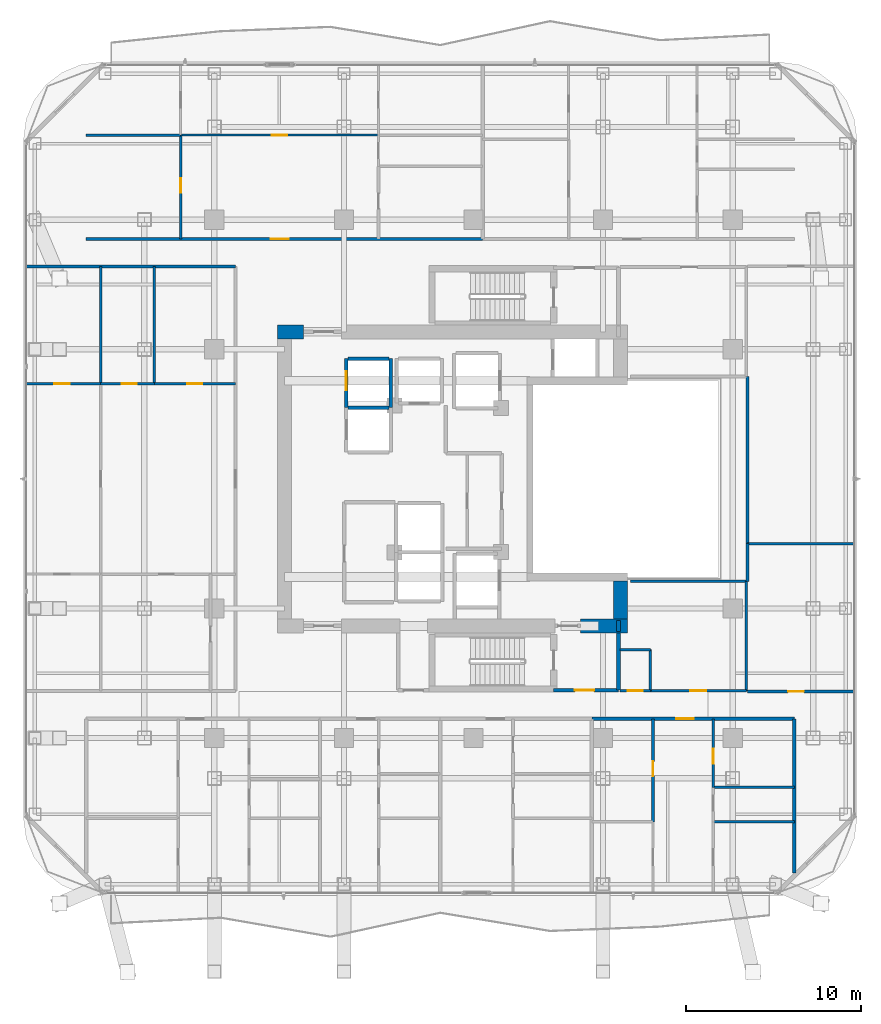
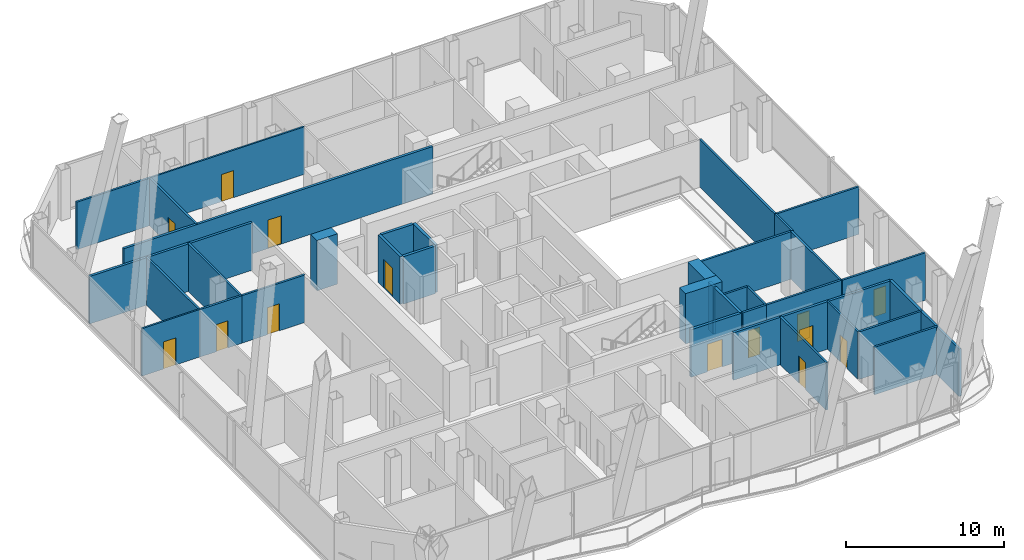
# One storey, part 25 of 34: 36 walls, 14 doors, 14 openings.
"""IFC4 building model written with IfcOpenShell, lengths in metres."""

from ifc_helpers import new_model, si_unit, direction, frame, frame_2d, origin, place, context, subcontext, project, spatial, rectangle, extrude, material, layer, layer_set, type_object, element, fill, save


model = new_model("IFC4")

# Units and contexts
model_context = context("Model", 3, precision=1e-05, world=origin(), true_north=direction((0.0, 1.0)))
body_context = subcontext(model_context, "Body", "Model", "MODEL_VIEW")
ifc_project = project(units=[si_unit("LENGTHUNIT", "METRE"), si_unit("AREAUNIT", "SQUARE_METRE"), si_unit("VOLUMEUNIT", "CUBIC_METRE"), si_unit("PLANEANGLEUNIT", "RADIAN"), si_unit("MASSUNIT", "GRAM", prefix="KILO")], contexts=[model_context])

# Site, building, storey
site_placement = place(None, origin())
site = spatial("IfcSite", under=ifc_project, at=site_placement, CompositionType="ELEMENT")
building_placement = place(site_placement, origin())
building = spatial("IfcBuilding", under=site, at=building_placement, Name="Khorvyn Point Tower", CompositionType="ELEMENT")
storey_placement = place(building_placement, frame((0.0, 0.0, 175.800048828125)))
storey = spatial("IfcBuildingStorey", under=building, at=storey_placement, Name="L43", CompositionType="ELEMENT", Elevation=175.800048828125)

# Wall, opening, door
ifc_material_1 = material(Name="Double acoustic gypsum on twin steel stud", Category="steel")
ifc_layer_1 = layer(ifc_material_1, 0.179931640625)
ifc_layer_set_1 = layer_set([ifc_layer_1], Name="Acoustic Double-Stud Apartment Demising Wall 180")
wall_type_1 = type_object("IfcWallType", Name="Acoustic Double-Stud Apartment Demising Wall 180", PredefinedType="PARTITIONING", material=ifc_layer_set_1)
wall_1_placement = place(storey_placement, frame((-22.1201171875, 13.699951171875, 0.0), z_axis=(0.0, 0.0, 1.0), x_axis=(1.0, 0.0, 0.0)))
wall_1 = element("IfcWall", 1, at=wall_1_placement, inside=storey, type_object=wall_type_1, Name="Wall", PredefinedType="PARTITIONING", context=body_context, shape_type="SweptSolid", body=[
    extrude(rectangle(XDim=22.64599609375, YDim=0.179931640625, at=frame_2d((11.322998046875, 0.0))), origin(), (0.0, 0.0, 1.0), 3.679931640625),
])
opening_1_placement = place(wall_1_placement, frame((10.55419921875, 0.0, 0.0)))
opening_1 = element("IfcOpeningElement", 2, at=opening_1_placement, cuts=wall_1, Name="Opening ID-AP60", PredefinedType="OPENING", context=body_context, shape_type="SweptSolid", body=[
    extrude(rectangle(XDim=1.0, YDim=2.199951171875, at=frame_2d((0.5, 1.10009765625))), frame((0.0, 0.099853515625, 0.0), z_axis=(0.0, -1.0, 0.0), x_axis=(1.0, 0.0, 0.0)), (0.0, 0.0, 1.0), 0.199951171875),
])
ifc_material_2 = material(Name="Engineered hardwood fire-rated leaf", Category="wood")
door_type_1 = type_object("IfcDoorType", Name="Acoustic Solid-Core Timber Apartment Entrance Door 1000x2200", OperationType="NOTDEFINED", PredefinedType="DOOR", material=ifc_material_2)
door_1_placement = place(opening_1_placement, origin())
door_1 = element("IfcDoor", 3, at=door_1_placement, inside=storey, type_object=door_type_1, Name="Door", OperationType="SINGLE_SWING_LEFT", OverallHeight=2.199951171875, OverallWidth=1.0, PredefinedType="DOOR", context=body_context, shape_type="SweptSolid", body=[
    extrude(rectangle(XDim=1.0, YDim=2.199951171875, at=frame_2d((0.5, 1.10009765625))), frame((0.0, 0.02490234375, 0.0), z_axis=(0.0, -1.0, 0.0), x_axis=(1.0, 0.0, 0.0)), (0.0, 0.0, 1.0), 0.050048828125),
])
fill(opening_1, door_1)

wall_2_placement = place(storey_placement, frame((6.75390625, -13.699951171875, 0.0), z_axis=(0.0, 0.0, 1.0), x_axis=(1.0, 0.0, 0.0)))
wall_2 = element("IfcWall", 4, at=wall_2_placement, inside=storey, type_object=wall_type_1, Name="Wall", PredefinedType="PARTITIONING", context=body_context, shape_type="SweptSolid", body=[
    extrude(rectangle(XDim=11.566162109375, YDim=0.179931640625, at=frame_2d((5.783203125, 0.0))), origin(), (0.0, 0.0, 1.0), 3.679931640625),
])
opening_2_placement = place(wall_2_placement, frame((4.83349609375, 0.0, 0.0)))
opening_2 = element("IfcOpeningElement", 5, at=opening_2_placement, cuts=wall_2, Name="Opening ID-AP60", PredefinedType="OPENING", context=body_context, shape_type="SweptSolid", body=[
    extrude(rectangle(XDim=1.0, YDim=2.199951171875, at=frame_2d((0.5, 1.10009765625))), frame((0.0, 0.099853515625, 0.0), z_axis=(0.0, -1.0, 0.0), x_axis=(1.0, 0.0, 0.0)), (0.0, 0.0, 1.0), 0.199951171875),
])
door_2_placement = place(opening_2_placement, origin())
door_2 = element("IfcDoor", 6, at=door_2_placement, inside=storey, type_object=door_type_1, Name="Door", OperationType="SINGLE_SWING_RIGHT", OverallHeight=2.199951171875, OverallWidth=1.0, PredefinedType="DOOR", context=body_context, shape_type="SweptSolid", body=[
    extrude(rectangle(XDim=1.0, YDim=2.199951171875, at=frame_2d((0.5, 1.10009765625))), frame((0.0, 0.02490234375, 0.0), z_axis=(0.0, -1.0, 0.0), x_axis=(1.0, 0.0, 0.0)), (0.0, 0.0, 1.0), 0.050048828125),
])
fill(opening_2, door_2)

# Walls
wall_3_placement = place(storey_placement, frame((18.320068359375, -22.510009765625, 0.0), z_axis=(0.0, 0.0, 1.0), x_axis=(0.0, 1.0, 0.0)))
element("IfcWall", 7, at=wall_3_placement, inside=storey, type_object=wall_type_1, Name="Wall", PredefinedType="PARTITIONING", context=body_context, shape_type="SweptSolid", body=[
    extrude(rectangle(XDim=8.81005859375, YDim=0.179931640625, at=frame_2d((4.405029296875, 0.0))), origin(), (0.0, 0.0, 1.0), 3.679931640625),
])
wall_4_placement = place(storey_placement, frame((-25.530029296875, 12.1201171875, 0.0), z_axis=(0.0, 0.0, 1.0), x_axis=(1.0, 0.0, 0.0)))
element("IfcWall", 8, at=wall_4_placement, inside=storey, type_object=wall_type_1, Name="Wall", PredefinedType="PARTITIONING", context=body_context, shape_type="SweptSolid", body=[
    extrude(rectangle(XDim=11.929931640625, YDim=0.179931640625, at=frame_2d((5.96484375, 0.0))), origin(), (0.0, 0.0, 1.0), 3.679931640625),
])

# Wall, opening, door
ifc_material_3 = material(Name="Concrete C40/50", Category="concrete")
ifc_layer_2 = layer(ifc_material_3, 0.199951171875)
ifc_layer_set_2 = layer_set([ifc_layer_2], Name="Concrete C40/50 Fire-Lobby Compartment Wall 200")
wall_type_2 = type_object("IfcWallType", Name="Concrete C40/50 Fire-Lobby Compartment Wall 200", PredefinedType="SOLIDWALL", material=ifc_layer_set_2)
wall_5_placement = place(storey_placement, frame((4.580078125, -12.06005859375, 0.0), z_axis=(0.0, 0.0, 1.0), x_axis=(1.0, 0.0, 0.0)))
wall_5 = element("IfcWall", 9, at=wall_5_placement, inside=storey, type_object=wall_type_2, Name="Wall", PredefinedType="SOLIDWALL", context=body_context, shape_type="SweptSolid", body=[
    extrude(rectangle(XDim=3.699951171875, YDim=0.199951171875, at=frame_2d((1.85009765625, 0.0))), origin(), (0.0, 0.0, 1.0), 3.679931640625),
])
opening_3_placement = place(wall_5_placement, frame((1.21240234375, 0.0, 0.0)))
opening_3 = element("IfcOpeningElement", 10, at=opening_3_placement, cuts=wall_5, Name="Opening ID-FL90", PredefinedType="OPENING", context=body_context, shape_type="SweptSolid", body=[
    extrude(rectangle(XDim=1.10009765625, YDim=2.14990234375, at=frame_2d((0.550048828125, 1.074951171875))), frame((0.0, 0.10986328125, 0.0), z_axis=(0.0, -1.0, 0.0), x_axis=(1.0, 0.0, 0.0)), (0.0, 0.0, 1.0), 0.219970703125),
])
ifc_material_4 = material(Name="Galvanised powder-coated steel", Category="steel")
door_type_2 = type_object("IfcDoorType", Name="Fire-Rated Steel Lobby and Stair Door 1100x2150", OperationType="NOTDEFINED", PredefinedType="DOOR", material=ifc_material_4)
door_3_placement = place(opening_3_placement, origin())
door_3 = element("IfcDoor", 11, at=door_3_placement, inside=storey, type_object=door_type_2, Name="Door", OperationType="SINGLE_SWING_LEFT", OverallHeight=2.14990234375, OverallWidth=1.10009765625, PredefinedType="DOOR", context=body_context, shape_type="SweptSolid", body=[
    extrude(rectangle(XDim=1.10009765625, YDim=2.14990234375, at=frame_2d((0.550048828125, 1.074951171875))), frame((0.0, 0.02490234375, 0.0), z_axis=(0.0, -1.0, 0.0), x_axis=(1.0, 0.0, 0.0)), (0.0, 0.0, 1.0), 0.050048828125),
])
fill(opening_3, door_3)

# Walls
wall_6_placement = place(storey_placement, frame((8.280029296875, -12.06005859375, 0.0), z_axis=(0.0, 0.0, 1.0), x_axis=(0.0, 1.0, 0.0)))
element("IfcWall", 12, at=wall_6_placement, inside=storey, type_object=wall_type_2, Name="Wall", PredefinedType="SOLIDWALL", context=body_context, shape_type="SweptSolid", body=[
    extrude(rectangle(XDim=3.260009765625, YDim=0.199951171875, at=frame_2d((1.6298828125, 0.0))), origin(), (0.0, 0.0, 1.0), 3.679931640625),
])
wall_7_placement = place(storey_placement, frame((8.280029296875, -8.72509765625, 0.0), z_axis=(0.0, 0.0, 1.0), x_axis=(0.0, 1.0, 0.0)))
element("IfcWall", 13, at=wall_7_placement, inside=storey, type_object=wall_type_2, Name="Wall", PredefinedType="SOLIDWALL", context=body_context, shape_type="SweptSolid", body=[
    extrude(rectangle(XDim=0.625, YDim=0.199951171875, at=frame_2d((0.3125, 0.0))), origin(), (0.0, 0.0, 1.0), 3.679931640625),
])
ifc_layer_3 = layer(ifc_material_3, 0.199951171875)
ifc_layer_set_3 = layer_set([ifc_layer_3], Name="Concrete C40/50 Structural Hoistway and Stair Shaft Wall 200")
wall_type_3 = type_object("IfcWallType", Name="Concrete C40/50 Structural Hoistway and Stair Shaft Wall 200", PredefinedType="SHEAR", material=ifc_layer_set_3)
wall_8_placement = place(storey_placement, frame((-7.175048828125, 4.074951171875, 0.0), z_axis=(0.0, 0.0, 1.0), x_axis=(1.0, 0.0, 0.0)))
element("IfcWall", 14, at=wall_8_placement, inside=storey, type_object=wall_type_3, Name="Wall", PredefinedType="SHEAR", context=body_context, shape_type="SweptSolid", body=[
    extrude(rectangle(XDim=2.35009765625, YDim=0.199951171875, at=frame_2d((1.175048828125, 0.0))), origin(), (0.0, 0.0, 1.0), 3.679931640625),
])

# Wall, opening, door
wall_9_placement = place(storey_placement, frame((-7.27490234375, 4.074951171875, 0.0), z_axis=(0.0, 0.0, 1.0), x_axis=(0.0, 1.0, 0.0)))
wall_9 = element("IfcWall", 15, at=wall_9_placement, inside=storey, type_object=wall_type_3, Name="Wall", PredefinedType="SHEAR", context=body_context, shape_type="SweptSolid", body=[
    extrude(rectangle(XDim=2.800048828125, YDim=0.199951171875, at=frame_2d((1.39990234375, 0.0))), origin(), (0.0, 0.0, 1.0), 3.679931640625),
])
opening_4_placement = place(wall_9_placement, frame((0.97509765625, 0.0, 0.0)))
opening_4 = element("IfcOpeningElement", 16, at=opening_4_placement, cuts=wall_9, Name="Opening LD-1122", PredefinedType="OPENING", context=body_context, shape_type="SweptSolid", body=[
    extrude(rectangle(XDim=1.10009765625, YDim=2.199951171875, at=frame_2d((0.550048828125, 1.10009765625))), frame((0.0, 0.10986328125, 0.0), z_axis=(0.0, -1.0, 0.0), x_axis=(1.0, 0.0, 0.0)), (0.0, 0.0, 1.0), 0.219970703125),
])
ifc_material_5 = material(Name="Stainless steel 1.4301", Category="steel")
door_type_3 = type_object("IfcDoorType", Name="Stainless Steel Automatic Sliding Lift Landing Door 1100x2200", OperationType="SLIDING_TO_LEFT", PredefinedType="DOOR", material=ifc_material_5)
door_4_placement = place(opening_4_placement, origin())
door_4 = element("IfcDoor", 17, at=door_4_placement, inside=storey, type_object=door_type_3, Name="L43 RM-02 Sliding Lift Landing Door", OperationType="SLIDING_TO_LEFT", OverallHeight=2.199951171875, OverallWidth=1.10009765625, PredefinedType="DOOR", context=body_context, shape_type="SweptSolid", body=[
    extrude(rectangle(XDim=1.10009765625, YDim=2.199951171875, at=frame_2d((0.550048828125, 1.10009765625))), frame((0.0, 0.02490234375, 0.0), z_axis=(0.0, -1.0, 0.0), x_axis=(1.0, 0.0, 0.0)), (0.0, 0.0, 1.0), 0.050048828125),
])
fill(opening_4, door_4)

# Walls
wall_10_placement = place(storey_placement, frame((-4.72509765625, 4.074951171875, 0.0), z_axis=(0.0, 0.0, 1.0), x_axis=(0.0, 1.0, 0.0)))
element("IfcWall", 18, at=wall_10_placement, inside=storey, type_object=wall_type_3, Name="Wall", PredefinedType="SHEAR", context=body_context, shape_type="SweptSolid", body=[
    extrude(rectangle(XDim=2.800048828125, YDim=0.199951171875, at=frame_2d((1.39990234375, 0.0))), origin(), (0.0, 0.0, 1.0), 3.679931640625),
])
wall_11_placement = place(storey_placement, frame((-7.175048828125, 6.875, 0.0), z_axis=(0.0, 0.0, 1.0), x_axis=(1.0, 0.0, 0.0)))
element("IfcWall", 19, at=wall_11_placement, inside=storey, type_object=wall_type_3, Name="Wall", PredefinedType="SHEAR", context=body_context, shape_type="SweptSolid", body=[
    extrude(rectangle(XDim=2.35009765625, YDim=0.199951171875, at=frame_2d((1.175048828125, 0.0))), origin(), (0.0, 0.0, 1.0), 3.679931640625),
])
ifc_material_6 = material(Name="Concrete C45/55", Category="concrete")
ifc_layer_4 = layer(ifc_material_6, 0.800048828125)
ifc_layer_set_4 = layer_set([ifc_layer_4], Name="Concrete C45/55 Core Shear Wall 800")
wall_type_4 = type_object("IfcWallType", Name="Concrete C45/55 Core Shear Wall 800", PredefinedType="SHEAR", material=ifc_layer_set_4)
wall_12_placement = place(storey_placement, frame((6.1201171875, -8.39990234375, 0.0), z_axis=(0.0, 0.0, 1.0), x_axis=(1.0, 0.0, 0.0)))
element("IfcWall", 20, at=wall_12_placement, inside=storey, type_object=wall_type_4, Name="Wall", PredefinedType="SHEAR", context=body_context, shape_type="SweptSolid", body=[
    extrude(rectangle(XDim=2.679931640625, YDim=0.800048828125, at=frame_2d((1.33984375, 0.0))), origin(), (0.0, 0.0, 1.0), 3.89990234375),
])
wall_13_placement = place(storey_placement, frame((-11.199951171875, 8.39990234375, 0.0), z_axis=(0.0, 0.0, 1.0), x_axis=(1.0, 0.0, 0.0)))
element("IfcWall", 21, at=wall_13_placement, inside=storey, type_object=wall_type_4, Name="Wall", PredefinedType="SHEAR", context=body_context, shape_type="SweptSolid", body=[
    extrude(rectangle(XDim=1.5, YDim=0.800048828125, at=frame_2d((0.75, 0.0))), origin(), (0.0, 0.0, 1.0), 3.89990234375),
])
wall_14_placement = place(storey_placement, frame((8.39990234375, -8.0, 0.0), z_axis=(0.0, 0.0, 1.0), x_axis=(0.0, 1.0, 0.0)))
element("IfcWall", 22, at=wall_14_placement, inside=storey, type_object=wall_type_4, Name="Wall", PredefinedType="SHEAR", context=body_context, shape_type="SweptSolid", body=[
    extrude(rectangle(XDim=2.175048828125, YDim=0.800048828125, at=frame_2d((1.08740234375, 0.0))), origin(), (0.0, 0.0, 1.0), 3.89990234375),
])

# Wall, opening, door
ifc_material_7 = material(Name="Gypsum plasterboard on steel stud", Category="steel")
ifc_layer_5 = layer(ifc_material_7, 0.1201171875)
ifc_layer_set_5 = layer_set([ifc_layer_5], Name="Gypsum Acoustic Stud Room Partition Wall 120")
wall_type_5 = type_object("IfcWallType", Name="Gypsum Acoustic Stud Room Partition Wall 120", PredefinedType="PARTITIONING", material=ifc_layer_set_5)
wall_15_placement = place(storey_placement, frame((-16.72607421875, 19.634033203125, 0.0), z_axis=(0.0, 0.0, 1.0), x_axis=(1.0, 0.0, 0.0)))
wall_15 = element("IfcWall", 23, at=wall_15_placement, inside=storey, type_object=wall_type_5, Name="Wall", PredefinedType="PARTITIONING", context=body_context, shape_type="SweptSolid", body=[
    extrude(rectangle(XDim=11.298095703125, YDim=0.1201171875, at=frame_2d((5.64892578125, 0.0))), origin(), (0.0, 0.0, 1.0), 3.679931640625),
])
opening_5_placement = place(wall_15_placement, frame((5.198974609375, 0.0, 0.0)))
opening_5 = element("IfcOpeningElement", 24, at=opening_5_placement, cuts=wall_15, Name="Opening ID-RM90", PredefinedType="OPENING", context=body_context, shape_type="SweptSolid", body=[
    extrude(rectangle(XDim=0.89990234375, YDim=2.10009765625, at=frame_2d((0.449951171875, 1.050048828125))), frame((0.0, 0.070068359375, 0.0), z_axis=(0.0, -1.0, 0.0), x_axis=(1.0, 0.0, 0.0)), (0.0, 0.0, 1.0), 0.14013671875),
])
ifc_material_8 = material(Name="Engineered oak veneer timber", Category="wood")
door_type_4 = type_object("IfcDoorType", Name="Flush Engineered Timber Room Door 900x2100", OperationType="NOTDEFINED", PredefinedType="DOOR", material=ifc_material_8)
door_5_placement = place(opening_5_placement, origin())
door_5 = element("IfcDoor", 25, at=door_5_placement, inside=storey, type_object=door_type_4, Name="Door", OperationType="SINGLE_SWING_RIGHT", OverallHeight=2.10009765625, OverallWidth=0.89990234375, PredefinedType="DOOR", context=body_context, shape_type="SweptSolid", body=[
    extrude(rectangle(XDim=0.89990234375, YDim=2.10009765625, at=frame_2d((0.449951171875, 1.050048828125))), frame((0.0, 0.02490234375, 0.0), z_axis=(0.0, -1.0, 0.0), x_axis=(1.0, 0.0, 0.0)), (0.0, 0.0, 1.0), 0.050048828125),
])
fill(opening_5, door_5)

wall_16_placement = place(storey_placement, frame((13.694091796875, -17.618896484375, 0.0), z_axis=(0.0, 0.0, 1.0), x_axis=(0.0, 1.0, 0.0)))
wall_16 = element("IfcWall", 26, at=wall_16_placement, inside=storey, type_object=wall_type_5, Name="Wall", PredefinedType="PARTITIONING", context=body_context, shape_type="SweptSolid", body=[
    extrude(rectangle(XDim=3.9189453125, YDim=0.1201171875, at=frame_2d((1.95947265625, 0.0))), origin(), (0.0, 0.0, 1.0), 3.679931640625),
])
opening_6_placement = place(wall_16_placement, frame((1.36279296875, 0.0, 0.0)))
opening_6 = element("IfcOpeningElement", 27, at=opening_6_placement, cuts=wall_16, Name="Opening ID-WC85", PredefinedType="OPENING", context=body_context, shape_type="SweptSolid", body=[
    extrude(rectangle(XDim=0.85009765625, YDim=2.10009765625, at=frame_2d((0.425048828125, 1.050048828125))), frame((0.0, 0.070068359375, 0.0), z_axis=(0.0, -1.0, 0.0), x_axis=(1.0, 0.0, 0.0)), (0.0, 0.0, 1.0), 0.14013671875),
])
ifc_material_9 = material(Name="High-pressure laminate on moisture-resistant core", Category="wood")
door_type_5 = type_object("IfcDoorType", Name="Moisture-Resistant Accessible Washroom Door 850x2100", OperationType="NOTDEFINED", PredefinedType="DOOR", material=ifc_material_9)
door_6_placement = place(opening_6_placement, origin())
door_6 = element("IfcDoor", 28, at=door_6_placement, inside=storey, type_object=door_type_5, Name="Door", OperationType="SINGLE_SWING_RIGHT", OverallHeight=2.10009765625, OverallWidth=0.85009765625, PredefinedType="DOOR", context=body_context, shape_type="SweptSolid", body=[
    extrude(rectangle(XDim=0.85009765625, YDim=2.10009765625, at=frame_2d((0.425048828125, 1.050048828125))), frame((0.0, 0.02490234375, 0.0), z_axis=(0.0, -1.0, 0.0), x_axis=(1.0, 0.0, 0.0)), (0.0, 0.0, 1.0), 0.050048828125),
])
fill(opening_6, door_6)

wall_17_placement = place(storey_placement, frame((-25.530029296875, 5.43603515625, 0.0), z_axis=(0.0, 0.0, 1.0), x_axis=(1.0, 0.0, 0.0)))
wall_17 = element("IfcWall", 29, at=wall_17_placement, inside=storey, type_object=wall_type_5, Name="Wall", PredefinedType="PARTITIONING", context=body_context, shape_type="SweptSolid", body=[
    extrude(rectangle(XDim=4.239990234375, YDim=0.1201171875, at=frame_2d((2.1201171875, 0.0))), origin(), (0.0, 0.0, 1.0), 3.679931640625),
])
opening_7_placement = place(wall_17_placement, frame((1.581298828125, 0.0, 0.0)))
opening_7 = element("IfcOpeningElement", 30, at=opening_7_placement, cuts=wall_17, Name="Opening ID-RM90", PredefinedType="OPENING", context=body_context, shape_type="SweptSolid", body=[
    extrude(rectangle(XDim=0.89990234375, YDim=2.10009765625, at=frame_2d((0.449951171875, 1.050048828125))), frame((0.0, 0.070068359375, 0.0), z_axis=(0.0, -1.0, 0.0), x_axis=(1.0, 0.0, 0.0)), (0.0, 0.0, 1.0), 0.14013671875),
])
door_7_placement = place(opening_7_placement, origin())
door_7 = element("IfcDoor", 31, at=door_7_placement, inside=storey, type_object=door_type_4, Name="Door", OperationType="SINGLE_SWING_LEFT", OverallHeight=2.10009765625, OverallWidth=0.89990234375, PredefinedType="DOOR", context=body_context, shape_type="SweptSolid", body=[
    extrude(rectangle(XDim=0.89990234375, YDim=2.10009765625, at=frame_2d((0.449951171875, 1.050048828125))), frame((0.0, 0.02490234375, 0.0), z_axis=(0.0, -1.0, 0.0), x_axis=(1.0, 0.0, 0.0)), (0.0, 0.0, 1.0), 0.050048828125),
])
fill(opening_7, door_7)

ifc_material_10 = material(Name="Moisture-resistant gypsum and cement board", Category="gypsum")
ifc_layer_6 = layer(ifc_material_10, 0.14990234375)
ifc_layer_set_6 = layer_set([ifc_layer_6], Name="Moisture-Resistant Wet-Room Partition Wall 150")
wall_type_6 = type_object("IfcWallType", Name="Moisture-Resistant Wet-Room Partition Wall 150", PredefinedType="PARTITIONING", material=ifc_layer_set_6)
wall_18_placement = place(storey_placement, frame((8.360107421875, -12.10009765625, 0.0), z_axis=(0.0, 0.0, 1.0), x_axis=(1.0, 0.0, 0.0)))
wall_18 = element("IfcWall", 32, at=wall_18_placement, inside=storey, type_object=wall_type_6, Name="Wall", PredefinedType="PARTITIONING", context=body_context, shape_type="SweptSolid", body=[
    extrude(rectangle(XDim=1.739990234375, YDim=0.14990234375, at=frame_2d((0.8701171875, 0.0))), origin(), (0.0, 0.0, 1.0), 3.679931640625),
])
opening_8_placement = place(wall_18_placement, frame((0.445068359375, 0.0, 0.0)))
opening_8 = element("IfcOpeningElement", 33, at=opening_8_placement, cuts=wall_18, Name="Opening ID-WC85", PredefinedType="OPENING", context=body_context, shape_type="SweptSolid", body=[
    extrude(rectangle(XDim=0.85009765625, YDim=2.10009765625, at=frame_2d((0.425048828125, 1.050048828125))), frame((0.0, 0.0849609375, 0.0), z_axis=(0.0, -1.0, 0.0), x_axis=(1.0, 0.0, 0.0)), (0.0, 0.0, 1.0), 0.169921875),
])
door_8_placement = place(opening_8_placement, origin())
door_8 = element("IfcDoor", 34, at=door_8_placement, inside=storey, type_object=door_type_5, Name="Door", OperationType="SINGLE_SWING_RIGHT", OverallHeight=2.10009765625, OverallWidth=0.85009765625, PredefinedType="DOOR", context=body_context, shape_type="SweptSolid", body=[
    extrude(rectangle(XDim=0.85009765625, YDim=2.10009765625, at=frame_2d((0.425048828125, 1.050048828125))), frame((0.0, 0.02490234375, 0.0), z_axis=(0.0, -1.0, 0.0), x_axis=(1.0, 0.0, 0.0)), (0.0, 0.0, 1.0), 0.050048828125),
])
fill(opening_8, door_8)

wall_19_placement = place(storey_placement, frame((10.10009765625, -12.10009765625, 0.0), z_axis=(0.0, 0.0, 1.0), x_axis=(1.0, 0.0, 0.0)))
wall_19 = element("IfcWall", 35, at=wall_19_placement, inside=storey, type_object=wall_type_6, Name="Wall", PredefinedType="PARTITIONING", context=body_context, shape_type="SweptSolid", body=[
    extrude(rectangle(XDim=5.47998046875, YDim=0.14990234375, at=frame_2d((2.739990234375, 0.0))), origin(), (0.0, 0.0, 1.0), 3.679931640625),
])
opening_9_placement = place(wall_19_placement, frame((2.2900390625, 0.0, 0.0)))
opening_9 = element("IfcOpeningElement", 36, at=opening_9_placement, cuts=wall_19, Name="Opening ID-RM90", PredefinedType="OPENING", context=body_context, shape_type="SweptSolid", body=[
    extrude(rectangle(XDim=0.89990234375, YDim=2.10009765625, at=frame_2d((0.449951171875, 1.050048828125))), frame((0.0, 0.0849609375, 0.0), z_axis=(0.0, -1.0, 0.0), x_axis=(1.0, 0.0, 0.0)), (0.0, 0.0, 1.0), 0.169921875),
])
door_9_placement = place(opening_9_placement, origin())
door_9 = element("IfcDoor", 37, at=door_9_placement, inside=storey, type_object=door_type_4, Name="Door", OperationType="SINGLE_SWING_LEFT", OverallHeight=2.10009765625, OverallWidth=0.89990234375, PredefinedType="DOOR", context=body_context, shape_type="SweptSolid", body=[
    extrude(rectangle(XDim=0.89990234375, YDim=2.10009765625, at=frame_2d((0.449951171875, 1.050048828125))), frame((0.0, 0.02490234375, 0.0), z_axis=(0.0, -1.0, 0.0), x_axis=(1.0, 0.0, 0.0)), (0.0, 0.0, 1.0), 0.050048828125),
])
fill(opening_9, door_9)

wall_20_placement = place(storey_placement, frame((-16.72607421875, 13.699951171875, 0.0), z_axis=(0.0, 0.0, 1.0), x_axis=(0.0, 1.0, 0.0)))
wall_20 = element("IfcWall", 38, at=wall_20_placement, inside=storey, type_object=wall_type_6, Name="Wall", PredefinedType="PARTITIONING", context=body_context, shape_type="SweptSolid", body=[
    extrude(rectangle(XDim=5.93408203125, YDim=0.14990234375, at=frame_2d((2.967041015625, 0.0))), origin(), (0.0, 0.0, 1.0), 3.679931640625),
])
opening_10_placement = place(wall_20_placement, frame((2.630126953125, 0.0, 0.0)))
opening_10 = element("IfcOpeningElement", 39, at=opening_10_placement, cuts=wall_20, Name="Opening ID-WC85", PredefinedType="OPENING", context=body_context, shape_type="SweptSolid", body=[
    extrude(rectangle(XDim=0.85009765625, YDim=2.10009765625, at=frame_2d((0.425048828125, 1.050048828125))), frame((0.0, 0.0849609375, 0.0), z_axis=(0.0, -1.0, 0.0), x_axis=(1.0, 0.0, 0.0)), (0.0, 0.0, 1.0), 0.169921875),
])
door_10_placement = place(opening_10_placement, origin())
door_10 = element("IfcDoor", 40, at=door_10_placement, inside=storey, type_object=door_type_5, Name="Door", OperationType="SINGLE_SWING_LEFT", OverallHeight=2.10009765625, OverallWidth=0.85009765625, PredefinedType="DOOR", context=body_context, shape_type="SweptSolid", body=[
    extrude(rectangle(XDim=0.85009765625, YDim=2.10009765625, at=frame_2d((0.425048828125, 1.050048828125))), frame((0.0, 0.02490234375, 0.0), z_axis=(0.0, -1.0, 0.0), x_axis=(1.0, 0.0, 0.0)), (0.0, 0.0, 1.0), 0.050048828125),
])
fill(opening_10, door_10)

wall_21_placement = place(storey_placement, frame((10.25, -19.583984375, 0.0), z_axis=(0.0, 0.0, 1.0), x_axis=(0.0, 1.0, 0.0)))
wall_21 = element("IfcWall", 41, at=wall_21_placement, inside=storey, type_object=wall_type_6, Name="Wall", PredefinedType="PARTITIONING", context=body_context, shape_type="SweptSolid", body=[
    extrude(rectangle(XDim=5.884033203125, YDim=0.14990234375, at=frame_2d((2.94189453125, 0.0))), origin(), (0.0, 0.0, 1.0), 3.679931640625),
])
opening_11_placement = place(wall_21_placement, frame((2.604248046875, 0.0, 0.0)))
opening_11 = element("IfcOpeningElement", 42, at=opening_11_placement, cuts=wall_21, Name="Opening ID-WC85", PredefinedType="OPENING", context=body_context, shape_type="SweptSolid", body=[
    extrude(rectangle(XDim=0.85009765625, YDim=2.10009765625, at=frame_2d((0.425048828125, 1.050048828125))), frame((0.0, 0.0849609375, 0.0), z_axis=(0.0, -1.0, 0.0), x_axis=(1.0, 0.0, 0.0)), (0.0, 0.0, 1.0), 0.169921875),
])
door_11_placement = place(opening_11_placement, origin())
door_11 = element("IfcDoor", 43, at=door_11_placement, inside=storey, type_object=door_type_5, Name="Door", OperationType="SINGLE_SWING_LEFT", OverallHeight=2.10009765625, OverallWidth=0.85009765625, PredefinedType="DOOR", context=body_context, shape_type="SweptSolid", body=[
    extrude(rectangle(XDim=0.85009765625, YDim=2.10009765625, at=frame_2d((0.425048828125, 1.050048828125))), frame((0.0, 0.02490234375, 0.0), z_axis=(0.0, -1.0, 0.0), x_axis=(1.0, 0.0, 0.0)), (0.0, 0.0, 1.0), 0.050048828125),
])
fill(opening_11, door_11)

wall_22_placement = place(storey_placement, frame((-21.2900390625, 5.43603515625, 0.0), z_axis=(0.0, 0.0, 1.0), x_axis=(1.0, 0.0, 0.0)))
wall_22 = element("IfcWall", 44, at=wall_22_placement, inside=storey, type_object=wall_type_6, Name="Wall", PredefinedType="PARTITIONING", context=body_context, shape_type="SweptSolid", body=[
    extrude(rectangle(XDim=3.067138671875, YDim=0.14990234375, at=frame_2d((1.53369140625, 0.0))), origin(), (0.0, 0.0, 1.0), 3.679931640625),
])
opening_12_placement = place(wall_22_placement, frame((1.194580078125, 0.0, 0.0)))
opening_12 = element("IfcOpeningElement", 45, at=opening_12_placement, cuts=wall_22, Name="Opening ID-WC85", PredefinedType="OPENING", context=body_context, shape_type="SweptSolid", body=[
    extrude(rectangle(XDim=0.85009765625, YDim=2.10009765625, at=frame_2d((0.425048828125, 1.050048828125))), frame((0.0, 0.0849609375, 0.0), z_axis=(0.0, -1.0, 0.0), x_axis=(1.0, 0.0, 0.0)), (0.0, 0.0, 1.0), 0.169921875),
])
door_12_placement = place(opening_12_placement, origin())
door_12 = element("IfcDoor", 46, at=door_12_placement, inside=storey, type_object=door_type_5, Name="Door", OperationType="SINGLE_SWING_LEFT", OverallHeight=2.10009765625, OverallWidth=0.85009765625, PredefinedType="DOOR", context=body_context, shape_type="SweptSolid", body=[
    extrude(rectangle(XDim=0.85009765625, YDim=2.10009765625, at=frame_2d((0.425048828125, 1.050048828125))), frame((0.0, 0.02490234375, 0.0), z_axis=(0.0, -1.0, 0.0), x_axis=(1.0, 0.0, 0.0)), (0.0, 0.0, 1.0), 0.050048828125),
])
fill(opening_12, door_12)

wall_23_placement = place(storey_placement, frame((-18.222900390625, 5.43603515625, 0.0), z_axis=(0.0, 0.0, 1.0), x_axis=(1.0, 0.0, 0.0)))
wall_23 = element("IfcWall", 47, at=wall_23_placement, inside=storey, type_object=wall_type_6, Name="Wall", PredefinedType="PARTITIONING", context=body_context, shape_type="SweptSolid", body=[
    extrude(rectangle(XDim=4.622802734375, YDim=0.14990234375, at=frame_2d((2.3115234375, 0.0))), origin(), (0.0, 0.0, 1.0), 3.679931640625),
])
opening_13_placement = place(wall_23_placement, frame((1.886474609375, 0.0, 0.0)))
opening_13 = element("IfcOpeningElement", 48, at=opening_13_placement, cuts=wall_23, Name="Opening ID-WC85", PredefinedType="OPENING", context=body_context, shape_type="SweptSolid", body=[
    extrude(rectangle(XDim=0.85009765625, YDim=2.10009765625, at=frame_2d((0.425048828125, 1.050048828125))), frame((0.0, 0.0849609375, 0.0), z_axis=(0.0, -1.0, 0.0), x_axis=(1.0, 0.0, 0.0)), (0.0, 0.0, 1.0), 0.169921875),
])
door_13_placement = place(opening_13_placement, origin())
door_13 = element("IfcDoor", 49, at=door_13_placement, inside=storey, type_object=door_type_5, Name="Door", OperationType="SINGLE_SWING_RIGHT", OverallHeight=2.10009765625, OverallWidth=0.85009765625, PredefinedType="DOOR", context=body_context, shape_type="SweptSolid", body=[
    extrude(rectangle(XDim=0.85009765625, YDim=2.10009765625, at=frame_2d((0.425048828125, 1.050048828125))), frame((0.0, 0.02490234375, 0.0), z_axis=(0.0, -1.0, 0.0), x_axis=(1.0, 0.0, 0.0)), (0.0, 0.0, 1.0), 0.050048828125),
])
fill(opening_13, door_13)

wall_24_placement = place(storey_placement, frame((15.64990234375, -12.139892578125, 0.0), z_axis=(0.0, 0.0, 1.0), x_axis=(1.0, 0.0, 0.0)))
wall_24 = element("IfcWall", 50, at=wall_24_placement, inside=storey, type_object=wall_type_6, Name="Wall", PredefinedType="PARTITIONING", context=body_context, shape_type="SweptSolid", body=[
    extrude(rectangle(XDim=6.070068359375, YDim=0.14990234375, at=frame_2d((3.03515625, 0.0))), origin(), (0.0, 0.0, 1.0), 3.679931640625),
])
opening_14_placement = place(wall_24_placement, frame((2.315673828125, 0.0, 0.0)))
opening_14 = element("IfcOpeningElement", 51, at=opening_14_placement, cuts=wall_24, Name="Opening ID-RM90", PredefinedType="OPENING", context=body_context, shape_type="SweptSolid", body=[
    extrude(rectangle(XDim=0.89990234375, YDim=2.10009765625, at=frame_2d((0.449951171875, 1.050048828125))), frame((0.0, 0.0849609375, 0.0), z_axis=(0.0, -1.0, 0.0), x_axis=(1.0, 0.0, 0.0)), (0.0, 0.0, 1.0), 0.169921875),
])
door_14_placement = place(opening_14_placement, origin())
door_14 = element("IfcDoor", 52, at=door_14_placement, inside=storey, type_object=door_type_4, Name="Door", OperationType="SINGLE_SWING_RIGHT", OverallHeight=2.10009765625, OverallWidth=0.89990234375, PredefinedType="DOOR", context=body_context, shape_type="SweptSolid", body=[
    extrude(rectangle(XDim=0.89990234375, YDim=2.10009765625, at=frame_2d((0.449951171875, 1.050048828125))), frame((0.0, 0.02490234375, 0.0), z_axis=(0.0, -1.0, 0.0), x_axis=(1.0, 0.0, 0.0)), (0.0, 0.0, 1.0), 0.050048828125),
])
fill(opening_14, door_14)

# Walls
wall_25_placement = place(storey_placement, frame((8.360107421875, -9.75, 0.0), z_axis=(0.0, 0.0, 1.0), x_axis=(1.0, 0.0, 0.0)))
element("IfcWall", 53, at=wall_25_placement, inside=storey, type_object=wall_type_6, Name="Wall", PredefinedType="PARTITIONING", context=body_context, shape_type="SweptSolid", body=[
    extrude(rectangle(XDim=1.739990234375, YDim=0.14990234375, at=frame_2d((0.8701171875, 0.0))), origin(), (0.0, 0.0, 1.0), 3.679931640625),
])
wall_26_placement = place(storey_placement, frame((10.10009765625, -12.10009765625, 0.0), z_axis=(0.0, 0.0, 1.0), x_axis=(0.0, 1.0, 0.0)))
element("IfcWall", 54, at=wall_26_placement, inside=storey, type_object=wall_type_6, Name="Wall", PredefinedType="PARTITIONING", context=body_context, shape_type="SweptSolid", body=[
    extrude(rectangle(XDim=2.35009765625, YDim=0.14990234375, at=frame_2d((1.175048828125, 0.0))), origin(), (0.0, 0.0, 1.0), 3.679931640625),
])
wall_27_placement = place(storey_placement, frame((15.580078125, -12.10009765625, 0.0), z_axis=(0.0, 0.0, 1.0), x_axis=(0.0, 1.0, 0.0)))
element("IfcWall", 55, at=wall_27_placement, inside=storey, type_object=wall_type_6, Name="Wall", PredefinedType="PARTITIONING", context=body_context, shape_type="SweptSolid", body=[
    extrude(rectangle(XDim=6.25, YDim=0.14990234375, at=frame_2d((3.125, 0.0))), origin(), (0.0, 0.0, 1.0), 3.679931640625),
])
wall_28_placement = place(storey_placement, frame((8.9599609375, -5.85009765625, 0.0), z_axis=(0.0, 0.0, 1.0), x_axis=(1.0, 0.0, 0.0)))
element("IfcWall", 56, at=wall_28_placement, inside=storey, type_object=wall_type_6, Name="Wall", PredefinedType="PARTITIONING", context=body_context, shape_type="SweptSolid", body=[
    extrude(rectangle(XDim=6.6201171875, YDim=0.14990234375, at=frame_2d((3.31005859375, 0.0))), origin(), (0.0, 0.0, 1.0), 3.679931640625),
])
wall_29_placement = place(storey_placement, frame((-22.1201171875, 19.634033203125, 0.0), z_axis=(0.0, 0.0, 1.0), x_axis=(1.0, 0.0, 0.0)))
element("IfcWall", 57, at=wall_29_placement, inside=storey, type_object=wall_type_6, Name="Wall", PredefinedType="PARTITIONING", context=body_context, shape_type="SweptSolid", body=[
    extrude(rectangle(XDim=5.39404296875, YDim=0.14990234375, at=frame_2d((2.697021484375, 0.0))), origin(), (0.0, 0.0, 1.0), 3.679931640625),
])
for number, where, z_axis, x_axis, name in (
    (58, (13.694091796875, -17.618896484375, 0.0), (0.0, 0.0, 1.0), (1.0, 0.0, 0.0), "Wall"),
    (59, (13.694091796875, -19.583984375, 0.0), (0.0, 0.0, 1.0), (1.0, 0.0, 0.0), "Wall"),
):
    element("IfcWall", number, at=place(storey_placement, frame(where, z_axis=z_axis, x_axis=x_axis)), inside=storey, type_object=wall_type_6, Name=name, PredefinedType="PARTITIONING", context=body_context, shape_type="SweptSolid", body=[
        extrude(rectangle(XDim=4.6259765625, YDim=0.14990234375, at=frame_2d((2.31298828125, 0.0))), origin(), (0.0, 0.0, 1.0), 3.679931640625),
    ])
for number, where, z_axis, x_axis, name in (
    (60, (-18.222900390625, 5.43603515625, 0.0), (0.0, 0.0, 1.0), (0.0, 1.0, 0.0), "Wall"),
    (61, (-21.2900390625, 5.43603515625, 0.0), (0.0, 0.0, 1.0), (0.0, 1.0, 0.0), "Wall"),
):
    element("IfcWall", number, at=place(storey_placement, frame(where, z_axis=z_axis, x_axis=x_axis)), inside=storey, type_object=wall_type_6, Name=name, PredefinedType="PARTITIONING", context=body_context, shape_type="SweptSolid", body=[
        extrude(rectangle(XDim=6.68408203125, YDim=0.14990234375, at=frame_2d((3.342041015625, 0.0))), origin(), (0.0, 0.0, 1.0), 3.679931640625),
    ])
wall_30_placement = place(storey_placement, frame((15.64990234375, -5.85009765625, 0.0), z_axis=(0.0, 0.0, 1.0), x_axis=(0.0, 1.0, 0.0)))
element("IfcWall", 62, at=wall_30_placement, inside=storey, type_object=wall_type_6, Name="Wall", PredefinedType="PARTITIONING", context=body_context, shape_type="SweptSolid", body=[
    extrude(rectangle(XDim=2.150146484375, YDim=0.14990234375, at=frame_2d((1.0751953125, 0.0))), origin(), (0.0, 0.0, 1.0), 3.679931640625),
])
wall_31_placement = place(storey_placement, frame((15.64990234375, -3.699951171875, 0.0), z_axis=(0.0, 0.0, 1.0), x_axis=(0.0, 1.0, 0.0)))
element("IfcWall", 63, at=wall_31_placement, inside=storey, type_object=wall_type_6, Name="Wall", PredefinedType="PARTITIONING", context=body_context, shape_type="SweptSolid", body=[
    extrude(rectangle(XDim=9.550048828125, YDim=0.14990234375, at=frame_2d((4.77490234375, 0.0))), origin(), (0.0, 0.0, 1.0), 3.679931640625),
])
wall_32_placement = place(storey_placement, frame((15.64990234375, -3.699951171875, 0.0), z_axis=(0.0, 0.0, 1.0), x_axis=(1.0, 0.0, 0.0)))
element("IfcWall", 64, at=wall_32_placement, inside=storey, type_object=wall_type_6, Name="Wall", PredefinedType="PARTITIONING", context=body_context, shape_type="SweptSolid", body=[
    extrude(rectangle(XDim=6.080078125, YDim=0.14990234375, at=frame_2d((3.0400390625, 0.0))), origin(), (0.0, 0.0, 1.0), 3.679931640625),
])

save(model, "model.ifc")
